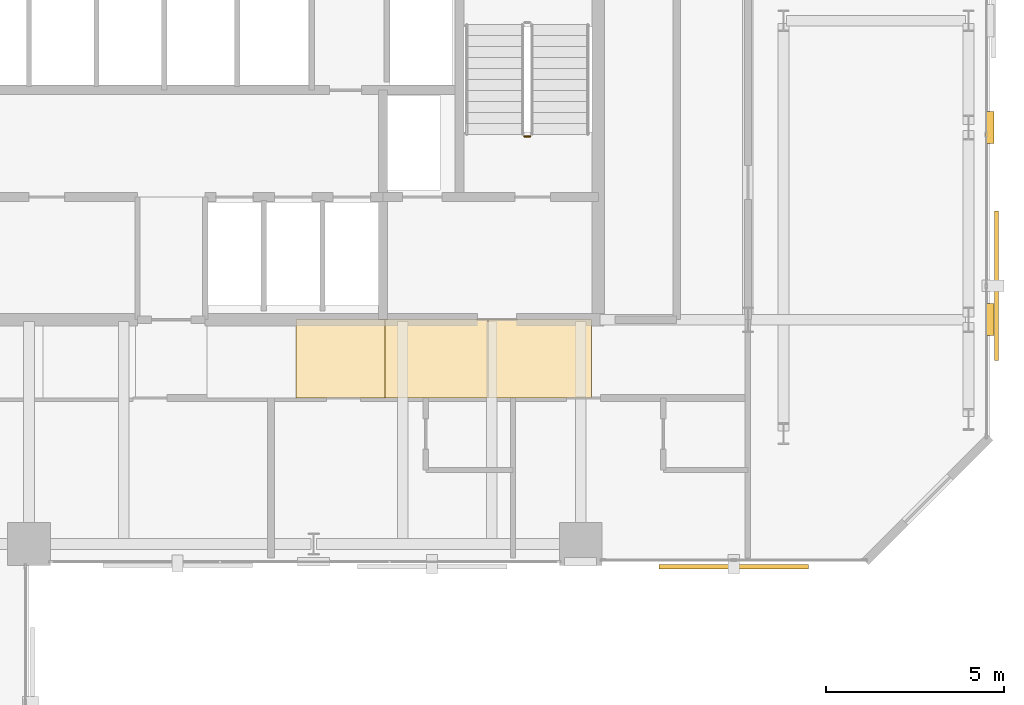
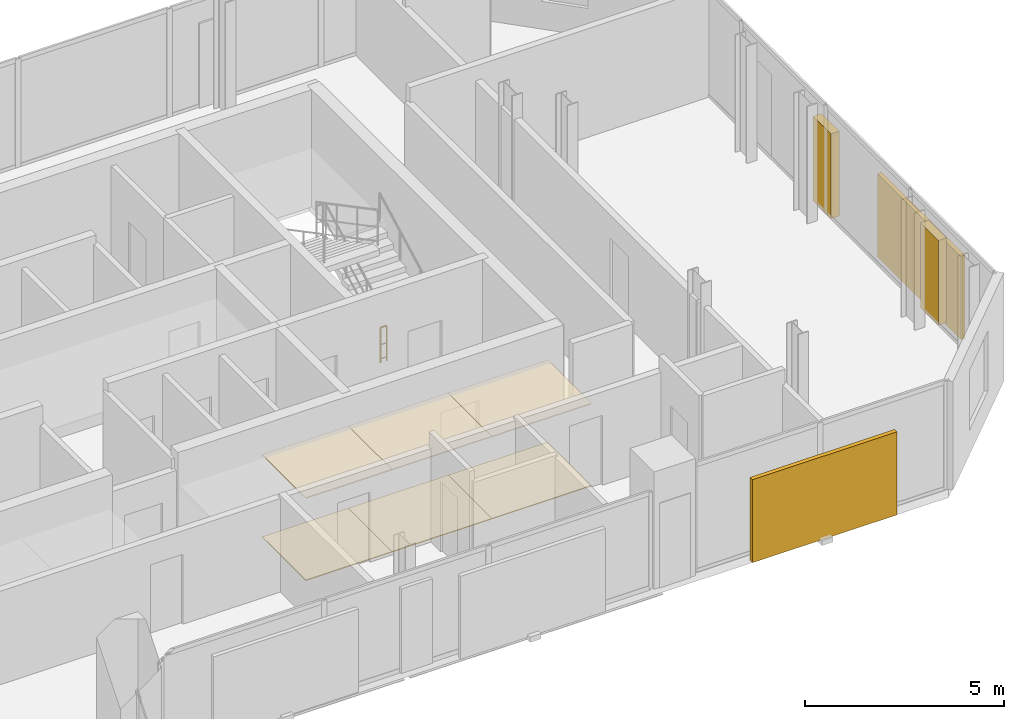
# One storey, part 32 of 33: 8 coverings, 2 shading devices, 1 railing.
"""IFC4 building model written with IfcOpenShell, lengths in metres."""

from ifc_helpers import new_model, si_unit, direction, frame, origin, origin_2d, place, context, subcontext, project, spatial, polyline, rectangle, circle, outline, extrude, material, layer, layer_set, type_object, element, save


model = new_model("IFC4")

# Units and contexts
model_context = context("Model", 3, precision=1e-05, world=origin(), true_north=direction((0.0, 1.0)))
body_context = subcontext(model_context, "Body", "Model", "MODEL_VIEW")
ifc_project = project(units=[si_unit("LENGTHUNIT", "METRE"), si_unit("AREAUNIT", "SQUARE_METRE"), si_unit("VOLUMEUNIT", "CUBIC_METRE"), si_unit("PLANEANGLEUNIT", "RADIAN"), si_unit("MASSUNIT", "GRAM", prefix="KILO")], contexts=[model_context])

# Site, building, storey
site_placement = place(None, origin())
site = spatial("IfcSite", under=ifc_project, at=site_placement, CompositionType="ELEMENT")
building_placement = place(site_placement, origin())
building = spatial("IfcBuilding", under=site, at=building_placement, Name="Catumbela Crestline Tower", CompositionType="ELEMENT")
storey_placement = place(building_placement, frame((0.0, 0.0, 118.8)))
storey = spatial("IfcBuildingStorey", under=building, at=storey_placement, Name="L30", CompositionType="ELEMENT", Elevation=118.8)

# Coverings
ifc_material_1 = material(Name="Mineral-fibre acoustic ceiling")
ifc_layer_1 = layer(ifc_material_1, 0.03, Name="Mineral-fibre acoustic ceiling")
ifc_layer_set_1 = layer_set([ifc_layer_1], Name="Mineral-fibre acoustic ceiling")
covering_type_1 = type_object("IfcCoveringType", Name="CC-AC", PredefinedType="CEILING", material=ifc_layer_set_1)
covering_1_placement = place(storey_placement, frame((0.0, 0.0, 2.52)))
element("IfcCovering", 1, at=covering_1_placement, inside=storey, type_object=covering_type_1, Name="L30 Corridor Acoustic Ceiling Bay 6", PredefinedType="CEILING", context=body_context, shape_type="SweptSolid", body=[
    extrude(outline(polyline([(31.5, 28.6), (34.0, 28.6), (34.0, 30.8), (31.5, 30.8), (31.5, 28.6)])), origin(), (0.0, 0.0, 1.0), 0.03),
])
covering_2_placement = place(storey_placement, frame((0.0, 0.0, 2.52)))
element("IfcCovering", 2, at=covering_2_placement, inside=storey, type_object=covering_type_1, Name="L30 Corridor Acoustic Ceiling Bay 7", PredefinedType="CEILING", context=body_context, shape_type="SweptSolid", body=[
    extrude(outline(polyline([(34.0, 28.6), (36.9, 28.6), (36.9, 30.8), (34.0, 30.8), (34.0, 28.6)])), origin(), (0.0, 0.0, 1.0), 0.03),
])
covering_3_placement = place(storey_placement, frame((0.0, 0.0, 2.52)))
element("IfcCovering", 3, at=covering_3_placement, inside=storey, type_object=covering_type_1, Name="L30 Corridor Acoustic Ceiling Bay 8", PredefinedType="CEILING", context=body_context, shape_type="SweptSolid", body=[
    extrude(outline(polyline([(36.9, 28.6), (39.8, 28.6), (39.8, 30.8), (36.9, 30.8), (36.9, 28.6)])), origin(), (0.0, 0.0, 1.0), 0.03),
])
ifc_material_2 = material(Name="Extruded terracotta ceramic", Category="masonry")
ifc_layer_2 = layer(ifc_material_2, 0.08, Name="Extruded terracotta ceramic")
ifc_layer_set_2 = layer_set([ifc_layer_2], Name="Extruded terracotta ceramic")
covering_type_2 = type_object("IfcCoveringType", Name="CC-TER", PredefinedType="CLADDING", material=ifc_layer_set_2)
for number, where, z_axis, x_axis, name in (
    (4, (51.0, 30.8, 0.0), (0.0, 0.0, 1.0), (0.0, 1.0, 0.0), "L30 Fluted Terracotta Column Cladding 103"),
    (5, (51.0, 36.2, 0.0), (0.0, 0.0, 1.0), (0.0, 1.0, 0.0), "L30 Fluted Terracotta Column Cladding 104"),
):
    element("IfcCovering", number, at=place(storey_placement, frame(where, z_axis=z_axis, x_axis=x_axis)), inside=storey, type_object=covering_type_2, Name=name, PredefinedType="CLADDING", context=body_context, shape_type="SweptSolid", body=[
        extrude(rectangle(XDim=0.9, YDim=0.24, at=origin_2d()), origin(), (0.0, 0.0, 1.0), 2.6),
    ])
ifc_material_3 = material(Name="Angolan grey-ochre granite", Category="masonry")
ifc_layer_3 = layer(ifc_material_3, 0.025, Name="Angolan grey-ochre granite")
ifc_layer_set_3 = layer_set([ifc_layer_3], Name="Angolan grey-ochre granite")
covering_type_3 = type_object("IfcCoveringType", Name="CF-GR", PredefinedType="FLOORING", material=ifc_layer_set_3)
covering_4_placement = place(storey_placement, origin())
element("IfcCovering", 6, at=covering_4_placement, inside=storey, type_object=covering_type_3, Name="L30 Corridor Granite Flooring Bay 6", PredefinedType="FLOORING", context=body_context, shape_type="SweptSolid", body=[
    extrude(outline(polyline([(31.5, 28.6), (34.0, 28.6), (34.0, 30.8), (31.5, 30.8), (31.5, 28.6)])), origin(), (0.0, 0.0, 1.0), 0.025),
])
covering_5_placement = place(storey_placement, origin())
element("IfcCovering", 7, at=covering_5_placement, inside=storey, type_object=covering_type_3, Name="L30 Corridor Granite Flooring Bay 7", PredefinedType="FLOORING", context=body_context, shape_type="SweptSolid", body=[
    extrude(outline(polyline([(34.0, 28.6), (36.9, 28.6), (36.9, 30.8), (34.0, 30.8), (34.0, 28.6)])), origin(), (0.0, 0.0, 1.0), 0.025),
])
covering_6_placement = place(storey_placement, origin())
element("IfcCovering", 8, at=covering_6_placement, inside=storey, type_object=covering_type_3, Name="L30 Corridor Granite Flooring Bay 8", PredefinedType="FLOORING", context=body_context, shape_type="SweptSolid", body=[
    extrude(outline(polyline([(36.9, 28.6), (39.8, 28.6), (39.8, 30.8), (36.9, 30.8), (36.9, 28.6)])), origin(), (0.0, 0.0, 1.0), 0.025),
])

# Railing
ifc_material_4 = material(Name="Stainless steel EN 1.4401", Category="steel")
railing_type = type_object("IfcRailingType", Name="RG-1100", PredefinedType="GUARDRAIL", material=ifc_material_4)
railing_placement = place(storey_placement, frame((38.09, 35.95, 0.0)))
element("IfcRailing", 9, at=railing_placement, inside=storey, type_object=railing_type, Name="L30 ST-02 stair guard 4", PredefinedType="GUARDRAIL", context=body_context, shape_type="SweptSolid", body=[
    extrude(circle(Radius=0.024, at=origin_2d()), frame((0.0, 0.0, 1.076), z_axis=(-1.0, 0.0, 0.0), x_axis=(0.0, -1.0, 0.0)), (0.0, 0.0, 1.0), 0.18),
    extrude(circle(Radius=0.0156, at=origin_2d()), frame((0.0, 0.0, 0.55), z_axis=(-1.0, 0.0, 0.0), x_axis=(0.0, -1.0, 0.0)), (0.0, 0.0, 1.0), 0.18),
    extrude(circle(Radius=0.0156, at=origin_2d()), frame((0.0, 0.0, 0.12), z_axis=(-1.0, 0.0, 0.0), x_axis=(0.0, -1.0, 0.0)), (0.0, 0.0, 1.0), 0.18),
    extrude(circle(Radius=0.021, at=origin_2d()), origin(), (0.0, 0.0, 1.0), 1.052),
    extrude(circle(Radius=0.021, at=origin_2d()), frame((-0.18, 0.0, 0.0)), (0.0, 0.0, 1.0), 1.052),
])

# Shading devices
shading_device_type_1 = type_object("IfcShadingDeviceType", Name="ST-260", PredefinedType="USERDEFINED", material=ifc_material_2)
shading_device_1_placement = place(storey_placement, frame((43.8, 23.857, -0.1), z_axis=(0.0, 0.0, 1.0), x_axis=(1.0, 0.0, 0.0)))
element("IfcShadingDevice", 10, at=shading_device_1_placement, inside=storey, type_object=shading_device_type_1, Name="L30 Perforated Terracotta Solar Screen 321 (260 mm)", ObjectType="SCREEN", PredefinedType="USERDEFINED", context=body_context, shape_type="SweptSolid", body=[
    extrude(rectangle(XDim=4.2, YDim=0.12, at=origin_2d()), origin(), (0.0, 0.0, 1.0), 2.55),
])
shading_device_type_2 = type_object("IfcShadingDeviceType", Name="ST-340", PredefinedType="USERDEFINED", material=ifc_material_2)
shading_device_2_placement = place(storey_placement, frame((51.187, 31.75, -0.1), z_axis=(0.0, 0.0, 1.0), x_axis=(0.0, 1.0, 0.0)))
element("IfcShadingDevice", 11, at=shading_device_2_placement, inside=storey, type_object=shading_device_type_2, Name="L30 Perforated Terracotta Solar Screen 322 (340 mm)", ObjectType="SCREEN", PredefinedType="USERDEFINED", context=body_context, shape_type="SweptSolid", body=[
    extrude(rectangle(XDim=4.2, YDim=0.12, at=origin_2d()), origin(), (0.0, 0.0, 1.0), 2.55),
])

save(model, "model.ifc")
